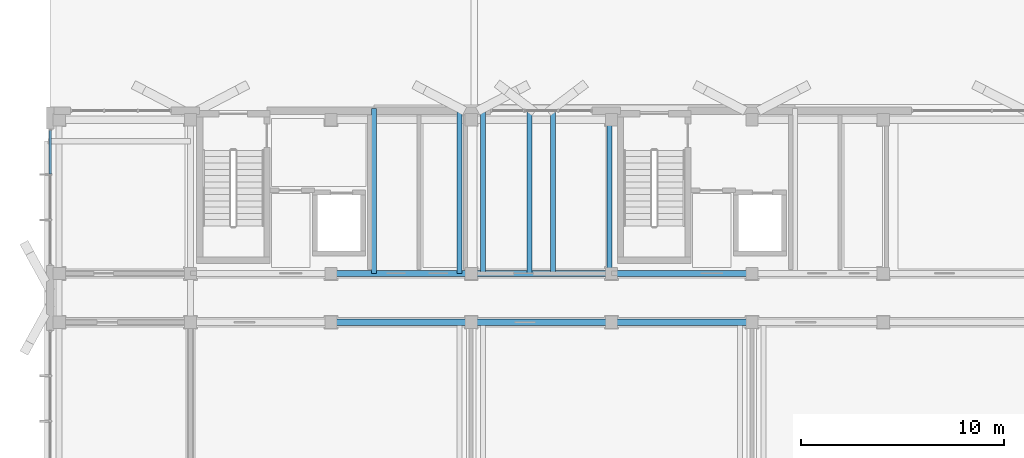
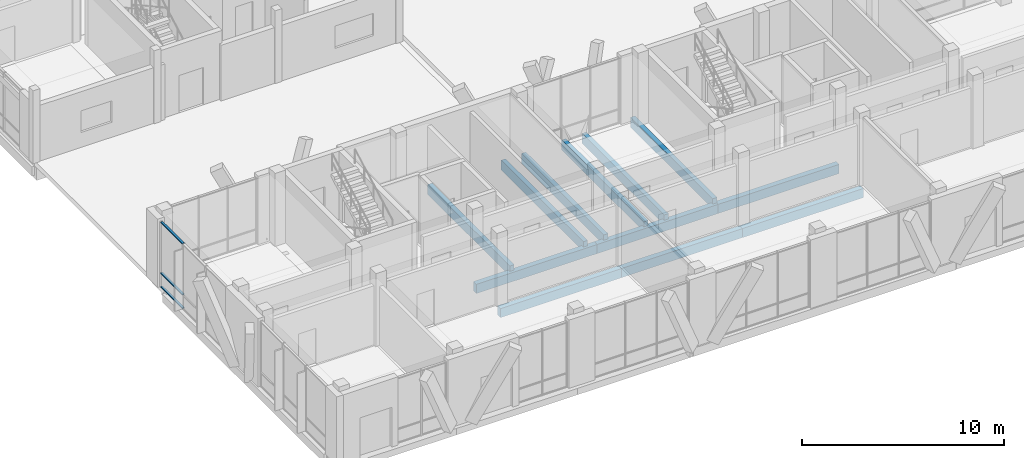
# One storey, part 28 of 233: 12 beams, 3 members, 1 element without a shape of its own.
"""IFC4 building model written with IfcOpenShell, lengths in metres."""

from ifc_helpers import new_model, si_unit, direction, frame, origin, origin_2d, place, context, subcontext, project, spatial, rectangle, hollow_rectangle, extrude, material, material_profile, profile_set, type_object, element, aggregate, save


model = new_model("IFC4")

# Units and contexts
model_context = context("Model", 3, precision=1e-05, world=origin(), true_north=direction((0.0, 1.0)))
body_context = subcontext(model_context, "Body", "Model", "MODEL_VIEW")
ifc_project = project(units=[si_unit("LENGTHUNIT", "METRE"), si_unit("AREAUNIT", "SQUARE_METRE"), si_unit("VOLUMEUNIT", "CUBIC_METRE"), si_unit("PLANEANGLEUNIT", "RADIAN"), si_unit("MASSUNIT", "GRAM", prefix="KILO")], contexts=[model_context])

# Site, building, storey
site_placement = place(None, origin())
site = spatial("IfcSite", under=ifc_project, at=site_placement, CompositionType="ELEMENT")
building_placement = place(site_placement, origin())
building = spatial("IfcBuilding", under=site, at=building_placement, Name="Zavelmont Quarter", CompositionType="ELEMENT")
storey_placement = place(building_placement, origin())
storey = spatial("IfcBuildingStorey", under=building, at=storey_placement, Name="L00", CompositionType="ELEMENT", Elevation=0.0)

# Beams
ifc_material_1 = material(Name="Concrete C35/45", Category="concrete")
ifc_material_profile_1 = material_profile(ifc_material_1, rectangle(XDim=0.300048828125, YDim=0.550048828125, at=origin_2d()), Name="RC300X550")
ifc_profile_set_1 = profile_set([ifc_material_profile_1], Name="Concrete C35/45")
beam_type_1 = type_object("IfcBeamType", Name="BM02", PredefinedType="SPANDREL", material=ifc_profile_set_1)
beam_1_placement = place(storey_placement, frame((13.800048828125, 8.0, -0.594970703125), z_axis=(1.0, 0.0, 0.0), x_axis=(0.0, 1.0, 0.0)))
element("IfcBeam", 1, at=beam_1_placement, inside=storey, type_object=beam_type_1, Name="L00 beam BM02 3/B to 4/B", PredefinedType="SPANDREL", context=body_context, shape_type="SweptSolid", body=[
    extrude(rectangle(XDim=0.300048828125, YDim=0.550048828125, at=origin_2d()), origin(), (0.0, 0.0, 1.0), 6.89990234375),
])
beam_2_placement = place(storey_placement, frame((20.699951171875, 8.0, -0.594970703125), z_axis=(1.0, 0.0, 0.0), x_axis=(0.0, 1.0, 0.0)))
element("IfcBeam", 2, at=beam_2_placement, inside=storey, type_object=beam_type_1, Name="L00 beam BM02 4/B to 5/B", PredefinedType="SPANDREL", context=body_context, shape_type="SweptSolid", body=[
    extrude(rectangle(XDim=0.300048828125, YDim=0.550048828125, at=origin_2d()), origin(), (0.0, 0.0, 1.0), 6.900146484375),
])
for number, where, z_axis, x_axis, name in (
    (3, (27.60009765625, 8.0, -0.594970703125), (1.0, 0.0, 0.0), (0.0, 1.0, 0.0), "L00 beam BM02 5/B to 6/B"),
    (4, (13.800048828125, 10.39990234375, -0.594970703125), (1.0, 0.0, 0.0), (0.0, 1.0, 0.0), "L00 beam BM02 3/C to 4/C"),
):
    element("IfcBeam", number, at=place(storey_placement, frame(where, z_axis=z_axis, x_axis=x_axis)), inside=storey, type_object=beam_type_1, Name=name, PredefinedType="SPANDREL", context=body_context, shape_type="SweptSolid", body=[
        extrude(rectangle(XDim=0.300048828125, YDim=0.550048828125, at=origin_2d()), origin(), (0.0, 0.0, 1.0), 6.89990234375),
    ])
beam_3_placement = place(storey_placement, frame((20.699951171875, 10.39990234375, -0.594970703125), z_axis=(1.0, 0.0, 0.0), x_axis=(0.0, 1.0, 0.0)))
element("IfcBeam", 5, at=beam_3_placement, inside=storey, type_object=beam_type_1, Name="L00 beam BM02 4/C to 5/C", PredefinedType="SPANDREL", context=body_context, shape_type="SweptSolid", body=[
    extrude(rectangle(XDim=0.300048828125, YDim=0.550048828125, at=origin_2d()), origin(), (0.0, 0.0, 1.0), 6.900146484375),
])
beam_4_placement = place(storey_placement, frame((27.60009765625, 10.39990234375, -0.594970703125), z_axis=(1.0, 0.0, 0.0), x_axis=(0.0, 1.0, 0.0)))
element("IfcBeam", 6, at=beam_4_placement, inside=storey, type_object=beam_type_1, Name="L00 beam BM02 5/C to 6/C", PredefinedType="SPANDREL", context=body_context, shape_type="SweptSolid", body=[
    extrude(rectangle(XDim=0.300048828125, YDim=0.550048828125, at=origin_2d()), origin(), (0.0, 0.0, 1.0), 6.89990234375),
])
ifc_material_2 = material(Name="Concrete C40/50", Category="concrete")
ifc_material_profile_2 = material_profile(ifc_material_2, rectangle(XDim=0.25, YDim=0.60009765625, at=origin_2d()), Name="RC250X600")
ifc_profile_set_2 = profile_set([ifc_material_profile_2], Name="Concrete C40/50")
beam_type_2 = type_object("IfcBeamType", Name="BM18", PredefinedType="BEAM", material=ifc_profile_set_2)
for number, where, z_axis, x_axis, name in (
    (7, (15.925048828125, 10.39990234375, -0.300048828125), (0.0, 1.0, 0.0), (-1.0, 0.0, 0.0), "L00 beam BM18 3/C to 3/D"),
    (8, (20.1201171875, 10.39990234375, -0.300048828125), (0.0, 1.0, 0.0), (-1.0, 0.0, 0.0), "L00 beam BM18 4/C to 4/D"),
    (9, (21.280029296875, 10.39990234375, -0.300048828125), (0.0, 1.0, 0.0), (-1.0, 0.0, 0.0), "L00 beam BM18 4/C to 4/D"),
    (10, (27.5, 10.39990234375, -0.300048828125), (0.0, 1.0, 0.0), (-1.0, 0.0, 0.0), "L00 beam BM18 5/C to 5/D"),
    (11, (23.570068359375, 10.39990234375, -0.300048828125), (0.0, 1.0, 0.0), (-1.0, 0.0, 0.0), "L00 beam BM18 4/C to 4/D"),
    (12, (24.72998046875, 10.39990234375, -0.300048828125), (0.0, 1.0, 0.0), (-1.0, 0.0, 0.0), "L00 beam BM18 5/C to 5/D"),
):
    element("IfcBeam", number, at=place(storey_placement, frame(where, z_axis=z_axis, x_axis=x_axis)), inside=storey, type_object=beam_type_2, Name=name, PredefinedType="BEAM", context=body_context, shape_type="SweptSolid", body=[
        extrude(rectangle(XDim=0.25, YDim=0.60009765625, at=origin_2d()), origin(), (0.0, 0.0, 1.0), 8.1201171875),
    ])

# Curtain wall, members
ifc_material_3 = material(Name="Thermally broken aluminium and double low-E safety glazing", Category="aluminium")
curtain_wall_type = type_object("IfcCurtainWallType", Name="CW-670X395", PredefinedType="NOTDEFINED", material=ifc_material_3)
curtain_wall_placement = place(storey_placement, origin())
curtain_wall = element("IfcCurtainWall", 13, at=curtain_wall_placement, inside=storey, type_object=curtain_wall_type, Name="L00 unitised curtain wall CW-670X395", PredefinedType="NOTDEFINED")
ifc_material_4 = material(Name="Powder-coated aluminium EN AW-6063-T6", Category="aluminium")
ifc_material_profile_3 = material_profile(ifc_material_4, hollow_rectangle(XDim=0.1201171875, YDim=0.06005859375, WallThickness=0.00390625, at=origin_2d()), Name="CWT60X120")
ifc_profile_set_3 = profile_set([ifc_material_profile_3], Name="Powder-coated aluminium EN AW-6063-T6")
member_type = type_object("IfcMemberType", Name="CWT01", PredefinedType="NOTDEFINED", material=ifc_profile_set_3)
member_1_placement = place(storey_placement, frame((0.0, 15.296630859375, 0.030029296875), z_axis=(0.0, 1.0, 0.0), x_axis=(-1.0, 0.0, 0.0)))
member_1 = element("IfcMember", 14, at=member_1_placement, type_object=member_type, Name="CW-670X395 transom 3.1", ObjectType="TRANSOM", PredefinedType="USERDEFINED", context=body_context, shape_type="SweptSolid", body=[
    extrude(hollow_rectangle(XDim=0.1201171875, YDim=0.06005859375, WallThickness=0.00390625, at=origin_2d()), origin(), (0.0, 0.0, 1.0), 2.143310546875),
])
member_2_placement = place(storey_placement, frame((0.0, 15.296630859375, 0.85009765625), z_axis=(0.0, 1.0, 0.0), x_axis=(-1.0, 0.0, 0.0)))
member_2 = element("IfcMember", 15, at=member_2_placement, type_object=member_type, Name="CW-670X395 transom 3.2", ObjectType="TRANSOM", PredefinedType="USERDEFINED", context=body_context, shape_type="SweptSolid", body=[
    extrude(hollow_rectangle(XDim=0.1201171875, YDim=0.06005859375, WallThickness=0.00390625, at=origin_2d()), origin(), (0.0, 0.0, 1.0), 2.143310546875),
])
member_3_placement = place(storey_placement, frame((0.0, 15.296630859375, 3.919921875), z_axis=(0.0, 1.0, 0.0), x_axis=(-1.0, 0.0, 0.0)))
member_3 = element("IfcMember", 16, at=member_3_placement, type_object=member_type, Name="CW-670X395 transom 3.3", ObjectType="TRANSOM", PredefinedType="USERDEFINED", context=body_context, shape_type="SweptSolid", body=[
    extrude(hollow_rectangle(XDim=0.1201171875, YDim=0.06005859375, WallThickness=0.00390625, at=origin_2d()), origin(), (0.0, 0.0, 1.0), 2.143310546875),
])
aggregate(curtain_wall, [member_1, member_2, member_3])

save(model, "model.ifc")
